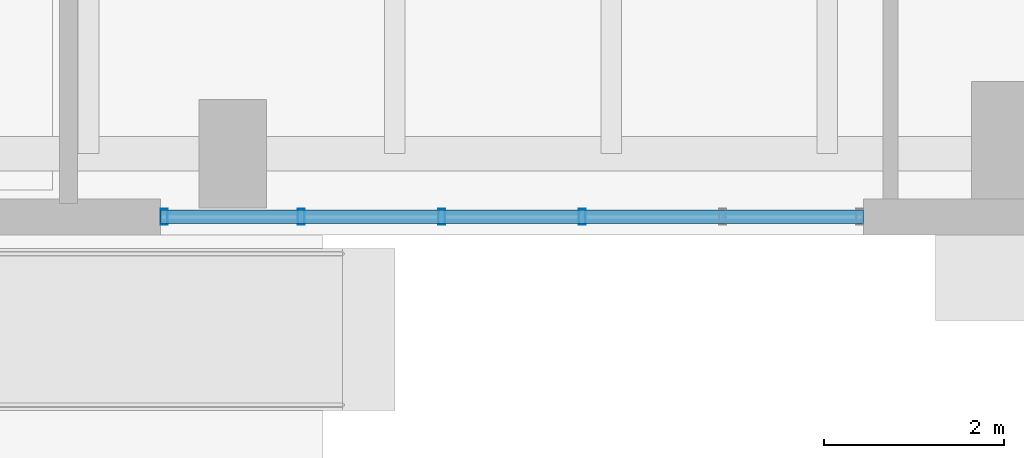
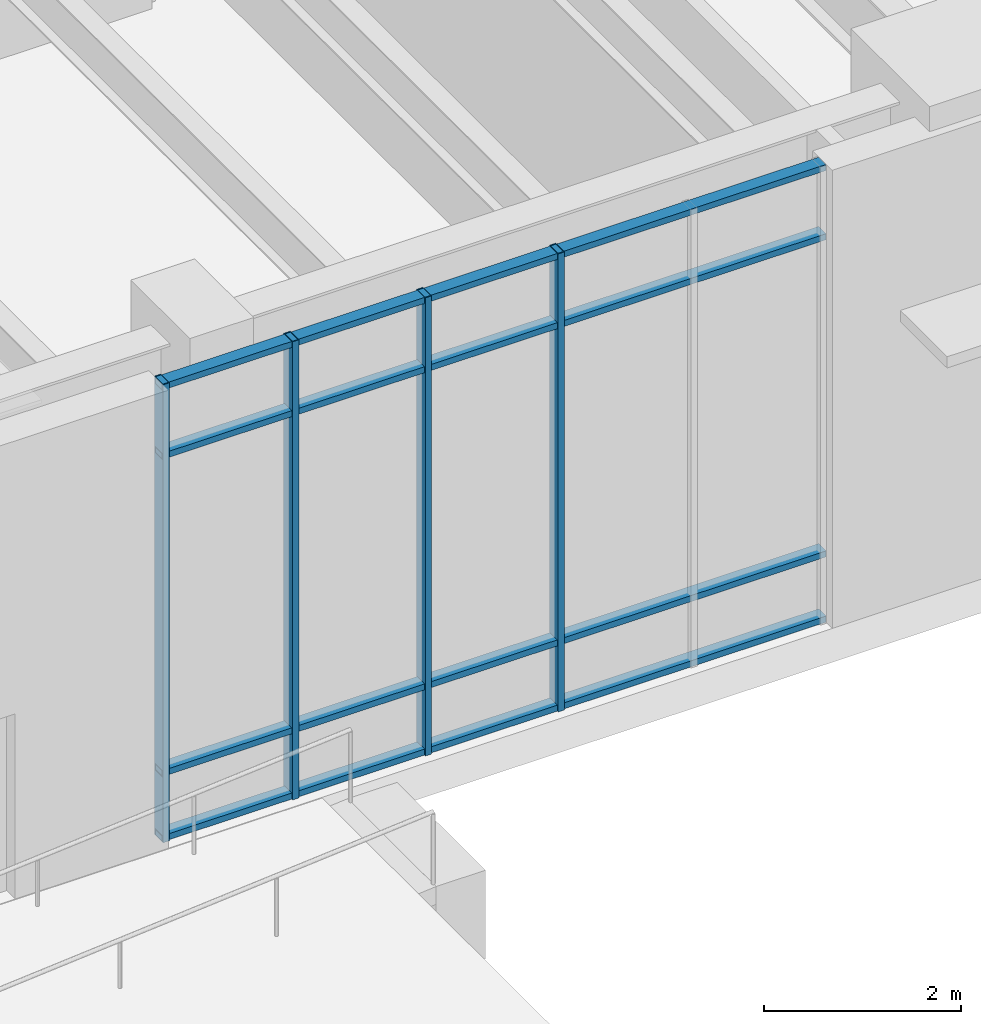
# One storey, part 2 of 28: 8 members, 1 element without a shape of its own.
"""IFC4 building model written with IfcOpenShell, lengths in metres."""

from ifc_helpers import new_model, si_unit, direction, frame, origin, origin_2d, place, context, subcontext, project, spatial, hollow_rectangle, extrude, material, layer, layer_set, material_profile, profile_set, type_object, element, aggregate, save


model = new_model("IFC4")

# Units and contexts
model_context = context("Model", 3, precision=1e-05, world=origin(), true_north=direction((0.0, 1.0)))
body_context = subcontext(model_context, "Body", "Model", "MODEL_VIEW")
ifc_project = project(units=[si_unit("LENGTHUNIT", "METRE"), si_unit("AREAUNIT", "SQUARE_METRE"), si_unit("VOLUMEUNIT", "CUBIC_METRE"), si_unit("PLANEANGLEUNIT", "RADIAN"), si_unit("MASSUNIT", "GRAM", prefix="KILO"), si_unit("THERMODYNAMICTEMPERATUREUNIT", "KELVIN"), si_unit("POWERUNIT", "WATT")], contexts=[model_context])

# Site, building, storey
site_placement = place(None, origin())
site = spatial("IfcSite", under=ifc_project, at=site_placement, CompositionType="ELEMENT")
building_placement = place(site_placement, origin())
building = spatial("IfcBuilding", under=site, at=building_placement, Name="Skarre Station Tower", CompositionType="ELEMENT")
storey_placement = place(building_placement, origin())
storey = spatial("IfcBuildingStorey", under=building, at=storey_placement, Name="L01", CompositionType="ELEMENT", Elevation=0.0)

# Curtain wall, members
ifc_material_1 = material(Name="Thermally Broken Bronze-Anodized Aluminium & Triple Low-E Glass", Category="aluminium")
ifc_layer = layer(ifc_material_1, 0.239990234375, Name="Thermally Broken Bronze-Anodized Aluminium & Triple Low-E Glass")
ifc_layer_set = layer_set([ifc_layer], Name="Thermally Broken Bronze-Anodized Aluminium & Triple Low-E Glass")
curtain_wall_type = type_object("IfcCurtainWallType", Name="Station Concourse Monumental Unitised Curtain Wall", PredefinedType="NOTDEFINED", material=ifc_layer_set)
curtain_wall_placement = place(storey_placement, origin())
curtain_wall = element("IfcCurtainWall", 1, at=curtain_wall_placement, inside=storey, type_object=curtain_wall_type, Name="L01 South Concourse Portal West Curtain Wall", PredefinedType="NOTDEFINED")
ifc_material_2 = material(Name="Anodized Aluminium 6063-T6", Category="aluminium")
ifc_material_profile_1 = material_profile(ifc_material_2, hollow_rectangle(XDim=0.074951171875, YDim=0.179931640625, WallThickness=0.00390625, at=origin_2d()), Name="Anodized Aluminium 6063-T6")
ifc_profile_set_1 = profile_set([ifc_material_profile_1], Name="Anodized Aluminium 6063-T6")
member_type_1 = type_object("IfcMemberType", Name="Curtain-Wall Heavy Concourse Mullion 180x75", PredefinedType="MULLION", material=ifc_profile_set_1)
member_1_placement = place(storey_placement, frame((30.8798828125, 0.199951171875, 0.0), z_axis=(0.0, 0.0, 1.0), x_axis=(-1.0, 0.0, 0.0)))
member_1 = element("IfcMember", 2, at=member_1_placement, type_object=member_type_1, Name="L01 South Concourse Portal West Curtain Wall Mullion 3", PredefinedType="MULLION", context=body_context, shape_type="SweptSolid", body=[
    extrude(hollow_rectangle(XDim=0.074951171875, YDim=0.179931640625, WallThickness=0.00390625, at=origin_2d()), origin(), (0.0, 0.0, 1.0), 5.68994140625),
])
member_2_placement = place(storey_placement, frame((29.320068359375, 0.199951171875, 0.0), z_axis=(0.0, 0.0, 1.0), x_axis=(-1.0, 0.0, 0.0)))
member_2 = element("IfcMember", 3, at=member_2_placement, type_object=member_type_1, Name="L01 South Concourse Portal West Curtain Wall Mullion 4", PredefinedType="MULLION", context=body_context, shape_type="SweptSolid", body=[
    extrude(hollow_rectangle(XDim=0.074951171875, YDim=0.179931640625, WallThickness=0.00390625, at=origin_2d()), origin(), (0.0, 0.0, 1.0), 5.68994140625),
])
member_3_placement = place(storey_placement, frame((27.760009765625, 0.199951171875, 0.0), z_axis=(0.0, 0.0, 1.0), x_axis=(-1.0, 0.0, 0.0)))
member_3 = element("IfcMember", 4, at=member_3_placement, type_object=member_type_1, Name="L01 South Concourse Portal West Curtain Wall Mullion 5", PredefinedType="MULLION", context=body_context, shape_type="SweptSolid", body=[
    extrude(hollow_rectangle(XDim=0.074951171875, YDim=0.179931640625, WallThickness=0.00390625, at=origin_2d()), origin(), (0.0, 0.0, 1.0), 5.68994140625),
])
member_4_placement = place(storey_placement, frame((26.239990234375, 0.199951171875, 0.0), z_axis=(0.0, 0.0, 1.0), x_axis=(-1.0, 0.0, 0.0)))
member_4 = element("IfcMember", 5, at=member_4_placement, type_object=member_type_1, Name="L01 South Concourse Portal West Curtain Wall Mullion 6", PredefinedType="MULLION", context=body_context, shape_type="SweptSolid", body=[
    extrude(hollow_rectangle(XDim=0.074951171875, YDim=0.179931640625, WallThickness=0.00390625, at=origin_2d()), origin(), (0.0, 0.0, 1.0), 5.68994140625),
])
ifc_material_profile_2 = material_profile(ifc_material_2, hollow_rectangle(XDim=0.074951171875, YDim=0.14990234375, WallThickness=0.00390625, at=origin_2d()), Name="Anodized Aluminium 6063-T6")
ifc_profile_set_2 = profile_set([ifc_material_profile_2], Name="Anodized Aluminium 6063-T6")
member_type_2 = type_object("IfcMemberType", Name="Curtain-Wall Horizontal Transom 150x75", PredefinedType="USERDEFINED", material=ifc_profile_set_2)
member_5_placement = place(storey_placement, frame((34.0, 0.199951171875, 0.0400390625), z_axis=(-1.0, 0.0, 0.0), x_axis=(0.0, 0.0, 1.0)))
member_5 = element("IfcMember", 6, at=member_5_placement, type_object=member_type_2, Name="L01 South Concourse Portal West Curtain Wall Transom 1", ObjectType="TRANSOM", PredefinedType="USERDEFINED", context=body_context, shape_type="SweptSolid", body=[
    extrude(hollow_rectangle(XDim=0.074951171875, YDim=0.14990234375, WallThickness=0.00390625, at=origin_2d()), origin(), (0.0, 0.0, 1.0), 7.800048828125),
])
member_6_placement = place(storey_placement, frame((34.0, 0.199951171875, 0.85009765625), z_axis=(-1.0, 0.0, 0.0), x_axis=(0.0, 0.0, 1.0)))
member_6 = element("IfcMember", 7, at=member_6_placement, type_object=member_type_2, Name="L01 South Concourse Portal West Curtain Wall Transom 2", ObjectType="TRANSOM", PredefinedType="USERDEFINED", context=body_context, shape_type="SweptSolid", body=[
    extrude(hollow_rectangle(XDim=0.074951171875, YDim=0.14990234375, WallThickness=0.00390625, at=origin_2d()), origin(), (0.0, 0.0, 1.0), 7.800048828125),
])
member_7_placement = place(storey_placement, frame((34.0, 0.199951171875, 4.7900390625), z_axis=(-1.0, 0.0, 0.0), x_axis=(0.0, 0.0, 1.0)))
member_7 = element("IfcMember", 8, at=member_7_placement, type_object=member_type_2, Name="L01 South Concourse Portal West Curtain Wall Transom 3", ObjectType="TRANSOM", PredefinedType="USERDEFINED", context=body_context, shape_type="SweptSolid", body=[
    extrude(hollow_rectangle(XDim=0.074951171875, YDim=0.14990234375, WallThickness=0.00390625, at=origin_2d()), origin(), (0.0, 0.0, 1.0), 7.800048828125),
])
member_8_placement = place(storey_placement, frame((34.0, 0.199951171875, 5.64990234375), z_axis=(-1.0, 0.0, 0.0), x_axis=(0.0, 0.0, 1.0)))
member_8 = element("IfcMember", 9, at=member_8_placement, type_object=member_type_2, Name="L01 South Concourse Portal West Curtain Wall Transom 4", ObjectType="TRANSOM", PredefinedType="USERDEFINED", context=body_context, shape_type="SweptSolid", body=[
    extrude(hollow_rectangle(XDim=0.074951171875, YDim=0.14990234375, WallThickness=0.00390625, at=origin_2d()), origin(), (0.0, 0.0, 1.0), 7.800048828125),
])
aggregate(curtain_wall, [member_1, member_2, member_3, member_4, member_5, member_6, member_7, member_8])

save(model, "model.ifc")
